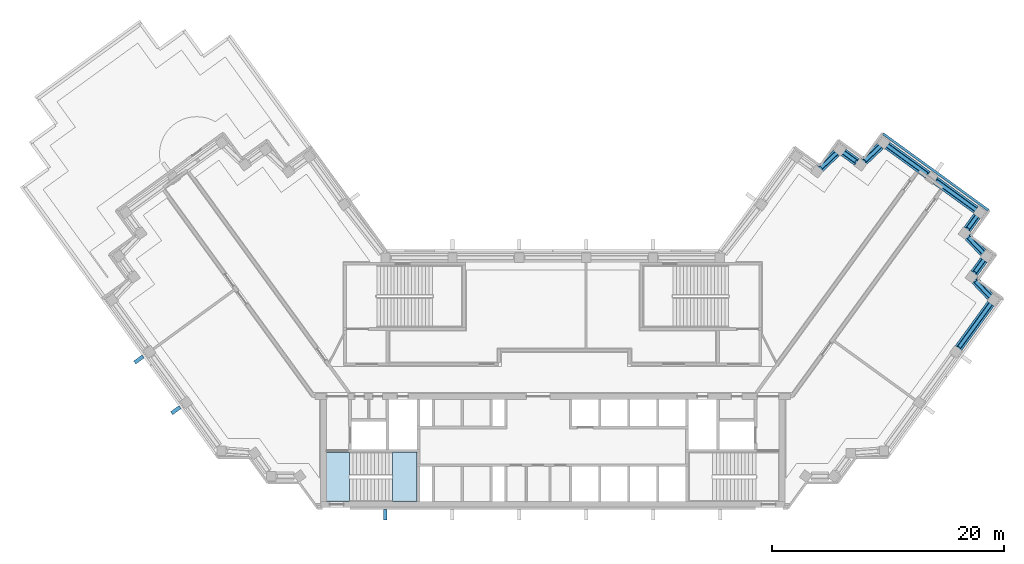
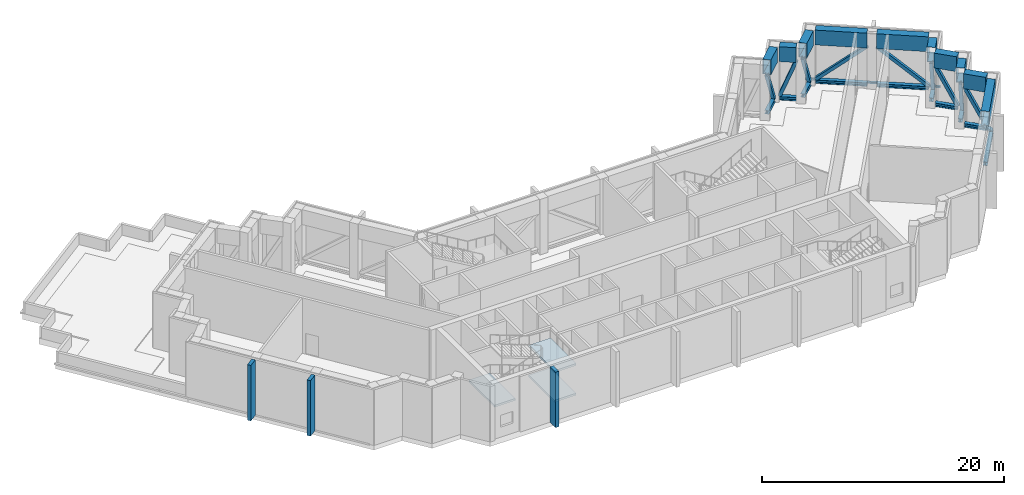
"""IFC4 building model written with IfcOpenShell, lengths in metres."""

from ifc_helpers import new_model, si_unit, direction, frame, origin, origin_2d, place, context, subcontext, project, spatial, polyline, rectangle, hollow_rectangle, i_section, outline, extrude, material, layer, layer_set, material_profile, profile_set, type_object, element, aggregate, save


model = new_model("IFC4")

# Units and contexts
model_context = context("Model", 3, precision=1e-05, world=origin(), true_north=direction((0.0, 1.0)))
body_context = subcontext(model_context, "Body", "Model", "MODEL_VIEW")
ifc_project = project(units=[si_unit("LENGTHUNIT", "METRE"), si_unit("AREAUNIT", "SQUARE_METRE"), si_unit("VOLUMEUNIT", "CUBIC_METRE"), si_unit("PLANEANGLEUNIT", "RADIAN"), si_unit("MASSUNIT", "GRAM", prefix="KILO")], contexts=[model_context])

# Site, building, storey
site_placement = place(None, origin())
site = spatial("IfcSite", under=ifc_project, at=site_placement, CompositionType="ELEMENT")
building_placement = place(site_placement, origin())
building = spatial("IfcBuilding", under=site, at=building_placement, Name="Quipu Civic Tower", CompositionType="ELEMENT")
storey_1_placement = place(building_placement, frame((0.0, 0.0, 242.0)))
storey_1 = spatial("IfcBuildingStorey", under=building, at=storey_1_placement, Name="L57", CompositionType="ELEMENT", Elevation=242.0)

# Beams
ifc_material_1 = material(Name="Steel ASTM A992 Grade 50 (fy 345 MPa)", Category="steel")
ifc_material_profile_1 = material_profile(ifc_material_1, i_section(OverallWidth=0.368896484375, OverallDepth=0.356201171875, WebThickness=0.01123046875, FlangeThickness=0.01806640625, at=origin_2d()), Name="W360x134")
ifc_profile_set_1 = profile_set([ifc_material_profile_1], Name="Steel ASTM A992 Grade 50 (fy 345 MPa)")
beam_type_1 = type_object("IfcBeamType", Name="Belt truss bottom chord W360x134", PredefinedType="BEAM", material=ifc_profile_set_1)
beam_1_placement = place(storey_1_placement, frame((34.95751953125, 2.7236328125, 0.278076171875), z_axis=(0.587891029962, 0.808940131833, 0.0), x_axis=(-0.808940131833, 0.587891029962, 0.0)))
element("IfcBeam", 1, at=beam_1_placement, inside=storey_1, type_object=beam_type_1, Name="Truss bottom chord L57 E-OUT-02 to T-Eo.0-E22", PredefinedType="BEAM", context=body_context, shape_type="SweptSolid", body=[
    extrude(i_section(OverallWidth=0.368896484375, OverallDepth=0.356201171875, WebThickness=0.01123046875, FlangeThickness=0.01806640625, at=origin_2d()), origin(), (0.0, 0.0, 1.0), 4.707275390625),
])
beam_2_placement = place(storey_1_placement, frame((37.6796875, 7.149658203125, 0.278076171875), z_axis=(-0.689191109061, 0.724579612735, 0.0), x_axis=(-0.724579612735, -0.689191109061, 0.0)))
element("IfcBeam", 2, at=beam_2_placement, inside=storey_1, type_object=beam_type_1, Name="Truss bottom chord L57 T-Eo.0-E22 to T-Eo.1-E22", PredefinedType="BEAM", context=body_context, shape_type="SweptSolid", body=[
    extrude(i_section(OverallWidth=0.368896484375, OverallDepth=0.356201171875, WebThickness=0.01123046875, FlangeThickness=0.01806640625, at=origin_2d()), origin(), (0.0, 0.0, 1.0), 1.931640625),
])
beam_3_placement = place(storey_1_placement, frame((36.302978515625, 9.16796875, 0.278076171875), z_axis=(0.58725897397, 0.809399096547, 0.0), x_axis=(-0.809399096547, 0.58725897397, 0.0)))
element("IfcBeam", 3, at=beam_3_placement, inside=storey_1, type_object=beam_type_1, Name="Truss bottom chord L57 T-Eo.1-E22 to T-Eo.2-E22", PredefinedType="BEAM", context=body_context, shape_type="SweptSolid", body=[
    extrude(i_section(OverallWidth=0.368896484375, OverallDepth=0.356201171875, WebThickness=0.01123046875, FlangeThickness=0.01806640625, at=origin_2d()), origin(), (0.0, 0.0, 1.0), 1.400146484375),
])
beam_4_placement = place(storey_1_placement, frame((37.080078125, 10.920166015625, 0.278076171875), z_axis=(-0.688280901551, 0.725444278053, 0.0), x_axis=(-0.725444278053, -0.688280901551, 0.0)))
element("IfcBeam", 4, at=beam_4_placement, inside=storey_1, type_object=beam_type_1, Name="Truss bottom chord L57 T-Eo.2-E22 to T-Eo.3-E22", PredefinedType="BEAM", context=body_context, shape_type="SweptSolid", body=[
    extrude(i_section(OverallWidth=0.368896484375, OverallDepth=0.356201171875, WebThickness=0.01123046875, FlangeThickness=0.01806640625, at=origin_2d()), origin(), (0.0, 0.0, 1.0), 1.931396484375),
])
beam_5_placement = place(storey_1_placement, frame((35.7060546875, 12.93994140625, 0.278076171875), z_axis=(0.58841024035, 0.808562544922, 0.0), x_axis=(-0.808562544922, 0.58841024035, 0.0)))
element("IfcBeam", 5, at=beam_5_placement, inside=storey_1, type_object=beam_type_1, Name="Truss bottom chord L57 T-Eo.3-E22 to T-Eo.4-E22", PredefinedType="BEAM", context=body_context, shape_type="SweptSolid", body=[
    extrude(i_section(OverallWidth=0.368896484375, OverallDepth=0.356201171875, WebThickness=0.01123046875, FlangeThickness=0.01806640625, at=origin_2d()), origin(), (0.0, 0.0, 1.0), 1.3994140625),
])
beam_6_placement = place(storey_1_placement, frame((36.44140625, 14.630126953125, 0.278076171875), z_axis=(-0.809153076016, 0.587597906373, 0.0), x_axis=(-0.587597906373, -0.809153076016, 0.0)))
element("IfcBeam", 6, at=beam_6_placement, inside=storey_1, type_object=beam_type_1, Name="Truss bottom chord L57 T-Eo.4-E22 to TIP-E-01-E22", PredefinedType="BEAM", context=body_context, shape_type="SweptSolid", body=[
    extrude(i_section(OverallWidth=0.368896484375, OverallDepth=0.356201171875, WebThickness=0.01123046875, FlangeThickness=0.01806640625, at=origin_2d()), origin(), (0.0, 0.0, 1.0), 4.302001953125),
])
beam_7_placement = place(storey_1_placement, frame((32.313232421875, 17.6279296875, 0.278076171875), z_axis=(-0.80911644178, 0.587648350327, 0.0), x_axis=(-0.587648350327, -0.80911644178, 0.0)))
element("IfcBeam", 7, at=beam_7_placement, inside=storey_1, type_object=beam_type_1, Name="Truss bottom chord L57 TIP-E-01-E22 to T-Ei.0-E22", PredefinedType="BEAM", context=body_context, shape_type="SweptSolid", body=[
    extrude(i_section(OverallWidth=0.368896484375, OverallDepth=0.356201171875, WebThickness=0.01123046875, FlangeThickness=0.01806640625, at=origin_2d()), origin(), (0.0, 0.0, 1.0), 4.30029296875),
])
beam_8_placement = place(storey_1_placement, frame((28.21484375, 20.10986328125, 0.278076171875), z_axis=(-0.725384387405, -0.688344020464, 0.0), x_axis=(0.688344020464, -0.725384387405, 0.0)))
element("IfcBeam", 8, at=beam_8_placement, inside=storey_1, type_object=beam_type_1, Name="Truss bottom chord L57 T-Ei.0-E22 to T-Ei.1-E22", PredefinedType="BEAM", context=body_context, shape_type="SweptSolid", body=[
    extrude(i_section(OverallWidth=0.368896484375, OverallDepth=0.356201171875, WebThickness=0.01123046875, FlangeThickness=0.01806640625, at=origin_2d()), origin(), (0.0, 0.0, 1.0), 1.93115234375),
])
beam_9_placement = place(storey_1_placement, frame((26.195556640625, 18.73583984375, 0.278076171875), z_axis=(-0.808600329101, 0.588358315805, 0.0), x_axis=(-0.588358315805, -0.808600329101, 0.0)))
element("IfcBeam", 9, at=beam_9_placement, inside=storey_1, type_object=beam_type_1, Name="Truss bottom chord L57 T-Ei.1-E22 to T-Ei.2-E22", PredefinedType="BEAM", context=body_context, shape_type="SweptSolid", body=[
    extrude(i_section(OverallWidth=0.368896484375, OverallDepth=0.356201171875, WebThickness=0.01123046875, FlangeThickness=0.01806640625, at=origin_2d()), origin(), (0.0, 0.0, 1.0), 1.400146484375),
])
beam_10_placement = place(storey_1_placement, frame((24.445068359375, 19.514892578125, 0.278076171875), z_axis=(-0.72506883804, -0.688676397232, 0.0), x_axis=(0.688676397232, -0.72506883804, 0.0)))
element("IfcBeam", 10, at=beam_10_placement, inside=storey_1, type_object=beam_type_1, Name="Truss bottom chord L57 T-Ei.2-E22 to T-Ei.3-E22", PredefinedType="BEAM", context=body_context, shape_type="SweptSolid", body=[
    extrude(i_section(OverallWidth=0.368896484375, OverallDepth=0.356201171875, WebThickness=0.01123046875, FlangeThickness=0.01806640625, at=origin_2d()), origin(), (0.0, 0.0, 1.0), 1.93212890625),
])

# Members
ifc_material_2 = material(Name="Steel ASTM A500 Grade C (fy 345 MPa)", Category="steel")
ifc_material_profile_2 = material_profile(ifc_material_2, hollow_rectangle(XDim=0.3046875, YDim=0.3046875, WallThickness=0.0126953125, at=origin_2d()), Name="HSS305x305x13")
ifc_profile_set_2 = profile_set([ifc_material_profile_2], Name="Steel ASTM A500 Grade C (fy 345 MPa)")
member_type_1 = type_object("IfcMemberType", Name="Belt truss diagonal HSS305x305x13", PredefinedType="BRACE", material=ifc_profile_set_2)
member_1_placement = place(storey_1_placement, frame((34.95751953125, 2.7236328125, 4.10009765625), z_axis=(0.464871729839, 0.639665140742, -0.612146046721), x_axis=(-0.808940131833, 0.587891029962, 0.0)))
element("IfcMember", 11, at=member_1_placement, inside=storey_1, type_object=member_type_1, Name="Truss diagonal L57 E-OUT-02 to T-Eo.0-E22", PredefinedType="BRACE", context=body_context, shape_type="SweptSolid", body=[
    extrude(hollow_rectangle(XDim=0.3046875, YDim=0.3046875, WallThickness=0.0126953125, at=origin_2d()), origin(), (0.0, 0.0, 1.0), 5.952880859375),
])
member_2_placement = place(storey_1_placement, frame((37.684326171875, 7.144775390625, 0.4560546875), z_axis=(-0.3245398348, 0.341207151029, 0.882185680973), x_axis=(-0.724582520845, -0.689188051613, 0.0)))
element("IfcMember", 12, at=member_2_placement, inside=storey_1, type_object=member_type_1, Name="Truss diagonal L57 T-Eo.0-E22 to T-Eo.1-E22", PredefinedType="BRACE", context=body_context, shape_type="SweptSolid", body=[
    extrude(hollow_rectangle(XDim=0.3046875, YDim=0.3046875, WallThickness=0.0126953125, at=origin_2d()), origin(), (0.0, 0.0, 1.0), 4.130615234375),
])
member_3_placement = place(storey_1_placement, frame((36.302978515625, 9.16796875, 4.10009765625), z_axis=(0.210632895332, 0.290308165122, -0.933463953599), x_axis=(-0.809399096547, 0.58725897397, 0.0)))
element("IfcMember", 13, at=member_3_placement, inside=storey_1, type_object=member_type_1, Name="Truss diagonal L57 T-Eo.1-E22 to T-Eo.2-E22", PredefinedType="BRACE", context=body_context, shape_type="SweptSolid", body=[
    extrude(hollow_rectangle(XDim=0.3046875, YDim=0.3046875, WallThickness=0.0126953125, at=origin_2d()), origin(), (0.0, 0.0, 1.0), 3.90380859375),
])
member_4_placement = place(storey_1_placement, frame((37.084716796875, 10.915283203125, 0.4560546875), z_axis=(-0.324077463839, 0.341572800205, 0.882214157442), x_axis=(-0.725441198178, -0.688284147708, 0.0)))
element("IfcMember", 14, at=member_4_placement, inside=storey_1, type_object=member_type_1, Name="Truss diagonal L57 T-Eo.2-E22 to T-Eo.3-E22", PredefinedType="BRACE", context=body_context, shape_type="SweptSolid", body=[
    extrude(hollow_rectangle(XDim=0.3046875, YDim=0.3046875, WallThickness=0.0126953125, at=origin_2d()), origin(), (0.0, 0.0, 1.0), 4.130615234375),
])
member_5_placement = place(storey_1_placement, frame((35.7060546875, 12.93994140625, 4.10009765625), z_axis=(0.210958478562, 0.289888096097, -0.933520975696), x_axis=(-0.808562544922, 0.58841024035, 0.0)))
element("IfcMember", 15, at=member_5_placement, inside=storey_1, type_object=member_type_1, Name="Truss diagonal L57 T-Eo.3-E22 to T-Eo.4-E22", PredefinedType="BRACE", context=body_context, shape_type="SweptSolid", body=[
    extrude(hollow_rectangle(XDim=0.3046875, YDim=0.3046875, WallThickness=0.0126953125, at=origin_2d()), origin(), (0.0, 0.0, 1.0), 3.903564453125),
])
member_6_placement = place(storey_1_placement, frame((36.44140625, 14.630126953125, 0.4560546875), z_axis=(-0.617419597176, 0.44836320025, 0.646346255257), x_axis=(-0.587597906373, -0.809153076016, 0.0)))
element("IfcMember", 16, at=member_6_placement, inside=storey_1, type_object=member_type_1, Name="Truss diagonal L57 T-Eo.4-E22 to TIP-E-01-E22", PredefinedType="BRACE", context=body_context, shape_type="SweptSolid", body=[
    extrude(hollow_rectangle(XDim=0.3046875, YDim=0.3046875, WallThickness=0.0126953125, at=origin_2d()), origin(), (0.0, 0.0, 1.0), 5.637939453125),
])
member_7_placement = place(storey_1_placement, frame((32.313232421875, 17.6279296875, 4.10009765625), z_axis=(-0.617294746398, 0.448331316304, -0.646487607685), x_axis=(-0.587648350327, -0.80911644178, 0.0)))
element("IfcMember", 17, at=member_7_placement, inside=storey_1, type_object=member_type_1, Name="Truss diagonal L57 TIP-E-01-E22 to T-Ei.0-E22", PredefinedType="BRACE", context=body_context, shape_type="SweptSolid", body=[
    extrude(hollow_rectangle(XDim=0.3046875, YDim=0.3046875, WallThickness=0.0126953125, at=origin_2d()), origin(), (0.0, 0.0, 1.0), 5.63671875),
])
member_8_placement = place(storey_1_placement, frame((28.219970703125, 20.11474609375, 0.4560546875), z_axis=(-0.341566257011, -0.32413036052, 0.882197257681), x_axis=(0.688350201487, -0.725378521954, 0.0)))
element("IfcMember", 18, at=member_8_placement, inside=storey_1, type_object=member_type_1, Name="Truss diagonal L57 T-Ei.0-E22 to T-Ei.1-E22", PredefinedType="BRACE", context=body_context, shape_type="SweptSolid", body=[
    extrude(hollow_rectangle(XDim=0.3046875, YDim=0.3046875, WallThickness=0.0126953125, at=origin_2d()), origin(), (0.0, 0.0, 1.0), 4.130615234375),
])
member_9_placement = place(storey_1_placement, frame((26.195556640625, 18.73583984375, 4.10009765625), z_axis=(-0.289998838241, 0.211010584478, -0.933474802583), x_axis=(-0.588358315805, -0.808600329101, 0.0)))
element("IfcMember", 19, at=member_9_placement, inside=storey_1, type_object=member_type_1, Name="Truss diagonal L57 T-Ei.1-E22 to T-Ei.2-E22", PredefinedType="BRACE", context=body_context, shape_type="SweptSolid", body=[
    extrude(hollow_rectangle(XDim=0.3046875, YDim=0.3046875, WallThickness=0.0126953125, at=origin_2d()), origin(), (0.0, 0.0, 1.0), 3.90380859375),
])
member_10_placement = place(storey_1_placement, frame((24.449951171875, 19.51953125, 0.4560546875), z_axis=(-0.341487868296, -0.324348463345, 0.8821474424), x_axis=(0.688676903117, -0.725068357545, 0.0)))
element("IfcMember", 20, at=member_10_placement, inside=storey_1, type_object=member_type_1, Name="Truss diagonal L57 T-Ei.2-E22 to T-Ei.3-E22", PredefinedType="BRACE", context=body_context, shape_type="SweptSolid", body=[
    extrude(hollow_rectangle(XDim=0.3046875, YDim=0.3046875, WallThickness=0.0126953125, at=origin_2d()), origin(), (0.0, 0.0, 1.0), 4.130859375),
])

# Beams
ifc_material_3 = material(Name="Steel ASTM A572 Grade 50 (fy 345 MPa)", Category="steel")
ifc_material_profile_3 = material_profile(ifc_material_3, hollow_rectangle(XDim=0.699951171875, YDim=1.5, WallThickness=0.050048828125, at=origin_2d()), Name="BX1500x700x50")
ifc_profile_set_3 = profile_set([ifc_material_profile_3], Name="Steel ASTM A572 Grade 50 (fy 345 MPa)")
beam_type_2 = type_object("IfcBeamType", Name="Belt truss top chord BX1500x700x50", PredefinedType="BEAM", material=ifc_profile_set_3)
beam_11_placement = place(storey_1_placement, frame((34.95751953125, 2.7236328125, 4.85009765625), z_axis=(0.587891029962, 0.808940131833, 0.0), x_axis=(-0.808940131833, 0.587891029962, 0.0)))
element("IfcBeam", 21, at=beam_11_placement, inside=storey_1, type_object=beam_type_2, Name="Truss top chord L57 E-OUT-02 to T-Eo.0-E22", PredefinedType="BEAM", context=body_context, shape_type="SweptSolid", body=[
    extrude(hollow_rectangle(XDim=0.699951171875, YDim=1.5, WallThickness=0.050048828125, at=origin_2d()), origin(), (0.0, 0.0, 1.0), 4.707275390625),
])
beam_12_placement = place(storey_1_placement, frame((37.6796875, 7.149658203125, 4.85009765625), z_axis=(-0.689191109061, 0.724579612735, 0.0), x_axis=(-0.724579612735, -0.689191109061, 0.0)))
element("IfcBeam", 22, at=beam_12_placement, inside=storey_1, type_object=beam_type_2, Name="Truss top chord L57 T-Eo.0-E22 to T-Eo.1-E22", PredefinedType="BEAM", context=body_context, shape_type="SweptSolid", body=[
    extrude(hollow_rectangle(XDim=0.699951171875, YDim=1.5, WallThickness=0.050048828125, at=origin_2d()), origin(), (0.0, 0.0, 1.0), 1.931640625),
])
beam_13_placement = place(storey_1_placement, frame((36.302978515625, 9.16796875, 4.85009765625), z_axis=(0.58725897397, 0.809399096547, 0.0), x_axis=(-0.809399096547, 0.58725897397, 0.0)))
element("IfcBeam", 23, at=beam_13_placement, inside=storey_1, type_object=beam_type_2, Name="Truss top chord L57 T-Eo.1-E22 to T-Eo.2-E22", PredefinedType="BEAM", context=body_context, shape_type="SweptSolid", body=[
    extrude(hollow_rectangle(XDim=0.699951171875, YDim=1.5, WallThickness=0.050048828125, at=origin_2d()), origin(), (0.0, 0.0, 1.0), 1.400146484375),
])
beam_14_placement = place(storey_1_placement, frame((37.080078125, 10.920166015625, 4.85009765625), z_axis=(-0.688280901551, 0.725444278053, 0.0), x_axis=(-0.725444278053, -0.688280901551, 0.0)))
element("IfcBeam", 24, at=beam_14_placement, inside=storey_1, type_object=beam_type_2, Name="Truss top chord L57 T-Eo.2-E22 to T-Eo.3-E22", PredefinedType="BEAM", context=body_context, shape_type="SweptSolid", body=[
    extrude(hollow_rectangle(XDim=0.699951171875, YDim=1.5, WallThickness=0.050048828125, at=origin_2d()), origin(), (0.0, 0.0, 1.0), 1.931396484375),
])
beam_15_placement = place(storey_1_placement, frame((35.7060546875, 12.93994140625, 4.85009765625), z_axis=(0.58841024035, 0.808562544922, 0.0), x_axis=(-0.808562544922, 0.58841024035, 0.0)))
element("IfcBeam", 25, at=beam_15_placement, inside=storey_1, type_object=beam_type_2, Name="Truss top chord L57 T-Eo.3-E22 to T-Eo.4-E22", PredefinedType="BEAM", context=body_context, shape_type="SweptSolid", body=[
    extrude(hollow_rectangle(XDim=0.699951171875, YDim=1.5, WallThickness=0.050048828125, at=origin_2d()), origin(), (0.0, 0.0, 1.0), 1.3994140625),
])
beam_16_placement = place(storey_1_placement, frame((36.44140625, 14.630126953125, 4.85009765625), z_axis=(-0.809153076016, 0.587597906373, 0.0), x_axis=(-0.587597906373, -0.809153076016, 0.0)))
element("IfcBeam", 26, at=beam_16_placement, inside=storey_1, type_object=beam_type_2, Name="Truss top chord L57 T-Eo.4-E22 to TIP-E-01-E22", PredefinedType="BEAM", context=body_context, shape_type="SweptSolid", body=[
    extrude(hollow_rectangle(XDim=0.699951171875, YDim=1.5, WallThickness=0.050048828125, at=origin_2d()), origin(), (0.0, 0.0, 1.0), 4.302001953125),
])
beam_17_placement = place(storey_1_placement, frame((32.313232421875, 17.6279296875, 4.85009765625), z_axis=(-0.80911644178, 0.587648350327, 0.0), x_axis=(-0.587648350327, -0.80911644178, 0.0)))
element("IfcBeam", 27, at=beam_17_placement, inside=storey_1, type_object=beam_type_2, Name="Truss top chord L57 TIP-E-01-E22 to T-Ei.0-E22", PredefinedType="BEAM", context=body_context, shape_type="SweptSolid", body=[
    extrude(hollow_rectangle(XDim=0.699951171875, YDim=1.5, WallThickness=0.050048828125, at=origin_2d()), origin(), (0.0, 0.0, 1.0), 4.30029296875),
])
beam_18_placement = place(storey_1_placement, frame((28.21484375, 20.10986328125, 4.85009765625), z_axis=(-0.725384387405, -0.688344020464, 0.0), x_axis=(0.688344020464, -0.725384387405, 0.0)))
element("IfcBeam", 28, at=beam_18_placement, inside=storey_1, type_object=beam_type_2, Name="Truss top chord L57 T-Ei.0-E22 to T-Ei.1-E22", PredefinedType="BEAM", context=body_context, shape_type="SweptSolid", body=[
    extrude(hollow_rectangle(XDim=0.699951171875, YDim=1.5, WallThickness=0.050048828125, at=origin_2d()), origin(), (0.0, 0.0, 1.0), 1.93115234375),
])
beam_19_placement = place(storey_1_placement, frame((26.195556640625, 18.73583984375, 4.85009765625), z_axis=(-0.808600329101, 0.588358315805, 0.0), x_axis=(-0.588358315805, -0.808600329101, 0.0)))
element("IfcBeam", 29, at=beam_19_placement, inside=storey_1, type_object=beam_type_2, Name="Truss top chord L57 T-Ei.1-E22 to T-Ei.2-E22", PredefinedType="BEAM", context=body_context, shape_type="SweptSolid", body=[
    extrude(hollow_rectangle(XDim=0.699951171875, YDim=1.5, WallThickness=0.050048828125, at=origin_2d()), origin(), (0.0, 0.0, 1.0), 1.400146484375),
])
beam_20_placement = place(storey_1_placement, frame((24.445068359375, 19.514892578125, 4.85009765625), z_axis=(-0.72506883804, -0.688676397232, 0.0), x_axis=(0.688676397232, -0.72506883804, 0.0)))
element("IfcBeam", 30, at=beam_20_placement, inside=storey_1, type_object=beam_type_2, Name="Truss top chord L57 T-Ei.2-E22 to T-Ei.3-E22", PredefinedType="BEAM", context=body_context, shape_type="SweptSolid", body=[
    extrude(hollow_rectangle(XDim=0.699951171875, YDim=1.5, WallThickness=0.050048828125, at=origin_2d()), origin(), (0.0, 0.0, 1.0), 1.93212890625),
])

# Storey
storey_2_placement = place(building_placement, frame((0.0, 0.0, 234.0)))
storey_2 = spatial("IfcBuildingStorey", under=building, at=storey_2_placement, Name="L55", CompositionType="ELEMENT", Elevation=234.0)

# Curtain wall, member
ifc_material_4 = material(Name="Insulated glass unit", Category="glass")
curtain_wall_type = type_object("IfcCurtainWallType", Name="Office curtain wall CW1", PredefinedType="NOTDEFINED", material=ifc_material_4)
curtain_wall_placement = place(storey_2_placement, origin())
curtain_wall = element("IfcCurtainWall", 31, at=curtain_wall_placement, inside=storey_2, type_object=curtain_wall_type, Name="Office curtain wall CW1 L54 run 21", PredefinedType="NOTDEFINED")
ifc_material_5 = material(Name="Anodised aluminium", Category="aluminium")
ifc_material_profile_4 = material_profile(ifc_material_5, rectangle(XDim=0.199951171875, YDim=0.159912109375, at=origin_2d()), Name="RECT 200x160")
ifc_profile_set_4 = profile_set([ifc_material_profile_4], Name="Anodised aluminium")
member_type_2 = type_object("IfcMemberType", Name="Transom CW1", PredefinedType="USERDEFINED", material=ifc_profile_set_4)
member_11_placement = place(storey_1_placement, frame((37.536865234375, 14.575927734375, 0.0), z_axis=(-0.809022463805, 0.587777724194, 0.0), x_axis=(-0.587777724194, -0.809022463805, 0.0)))
member_11 = element("IfcMember", 32, at=member_11_placement, inside=storey_1, type_object=member_type_2, Name="CW1 transom 1.4", ObjectType="TRANSOM", PredefinedType="USERDEFINED", context=body_context, shape_type="SweptSolid", body=[
    extrude(rectangle(XDim=0.199951171875, YDim=0.159912109375, at=origin_2d()), origin(), (0.0, 0.0, 1.0), 11.240234375),
])
aggregate(curtain_wall, [member_11])

# Plates
ifc_material_6 = material(Name="Precast concrete C40/50", Category="concrete")
plate_type = type_object("IfcPlateType", Name="Precast fin F3", PredefinedType="SHEET", material=ifc_material_6)
for number, where, z_axis, x_axis, name in (
    (33, (-35.642822265625, 1.73095703125, 0.0), (0.0, 0.0, 1.0), (0.587786668783, -0.809015965233, 0.0), "Precast fin F3 L57.13.1"),
    (34, (-32.46875, -2.637939453125, 0.0), (0.0, 0.0, 1.0), (0.587786668783, -0.809015965233, 0.0), "Precast fin F3 L57.13.2"),
    (35, (-14.431884765625, -11.637939453125, 0.0), (0.0, 0.0, 1.0), (1.0, 0.0, 0.0), "Precast fin F3 L57.19.1"),
):
    element("IfcPlate", number, at=place(storey_1_placement, frame(where, z_axis=z_axis, x_axis=x_axis)), inside=storey_1, type_object=plate_type, Name=name, PredefinedType="SHEET", context=body_context, shape_type="SweptSolid", body=[
        extrude(rectangle(XDim=0.320068359375, YDim=0.89990234375, at=origin_2d()), origin(), (0.0, 0.0, 1.0), 5.60009765625),
    ])

# Stair, slabs
ifc_material_7 = material(Name="Concrete C40/50", Category="concrete")
stair_type = type_object("IfcStairType", Name="Half turn stair 2000", PredefinedType="HALF_TURN_STAIR", material=ifc_material_7)
stair_placement = place(storey_1_placement, origin())
stair = element("IfcStair", 36, at=stair_placement, inside=storey_1, type_object=stair_type, Name="Exit stair 1", PredefinedType="HALF_TURN_STAIR")
ifc_material_8 = material(Name="Concrete C40/50", Category="concrete")
ifc_layer = layer(ifc_material_8, 0.199951171875)
ifc_layer_set = layer_set([ifc_layer], Name="Concrete C40/50")
slab_type = type_object("IfcSlabType", Name="Stair landing 200", PredefinedType="LANDING", material=ifc_layer_set)
slab_1_placement = place(storey_1_placement, frame((0.0, 0.0, 1.300048828125)))
slab_1 = element("IfcSlab", 37, at=slab_1_placement, type_object=slab_type, Name="ST-1 landing 1", PredefinedType="LANDING", context=body_context, shape_type="SweptSolid", body=[
    extrude(outline(polyline([(-13.780029296875, -10.5), (-11.699951171875, -10.5), (-11.699951171875, -6.25), (-13.780029296875, -6.25), (-13.780029296875, -10.5)])), origin(), (0.0, 0.0, 1.0), 0.199951171875),
])
slab_2_placement = place(storey_1_placement, frame((0.0, 0.0, 2.800048828125)))
slab_2 = element("IfcSlab", 38, at=slab_2_placement, type_object=slab_type, Name="ST-1 landing 2", PredefinedType="LANDING", context=body_context, shape_type="SweptSolid", body=[
    extrude(outline(polyline([(-19.5, -10.5), (-17.5, -10.5), (-17.5, -6.25), (-19.5, -6.25), (-19.5, -10.5)])), origin(), (0.0, 0.0, 1.0), 0.199951171875),
])
slab_3_placement = place(storey_1_placement, frame((0.0, 0.0, 4.300048828125)))
slab_3 = element("IfcSlab", 39, at=slab_3_placement, type_object=slab_type, Name="ST-1 landing 3", PredefinedType="LANDING", context=body_context, shape_type="SweptSolid", body=[
    extrude(outline(polyline([(-13.780029296875, -10.5), (-11.699951171875, -10.5), (-11.699951171875, -6.25), (-13.780029296875, -6.25), (-13.780029296875, -10.5)])), origin(), (0.0, 0.0, 1.0), 0.199951171875),
])
aggregate(stair, [slab_1, slab_2, slab_3])

save(model, "model.ifc")
